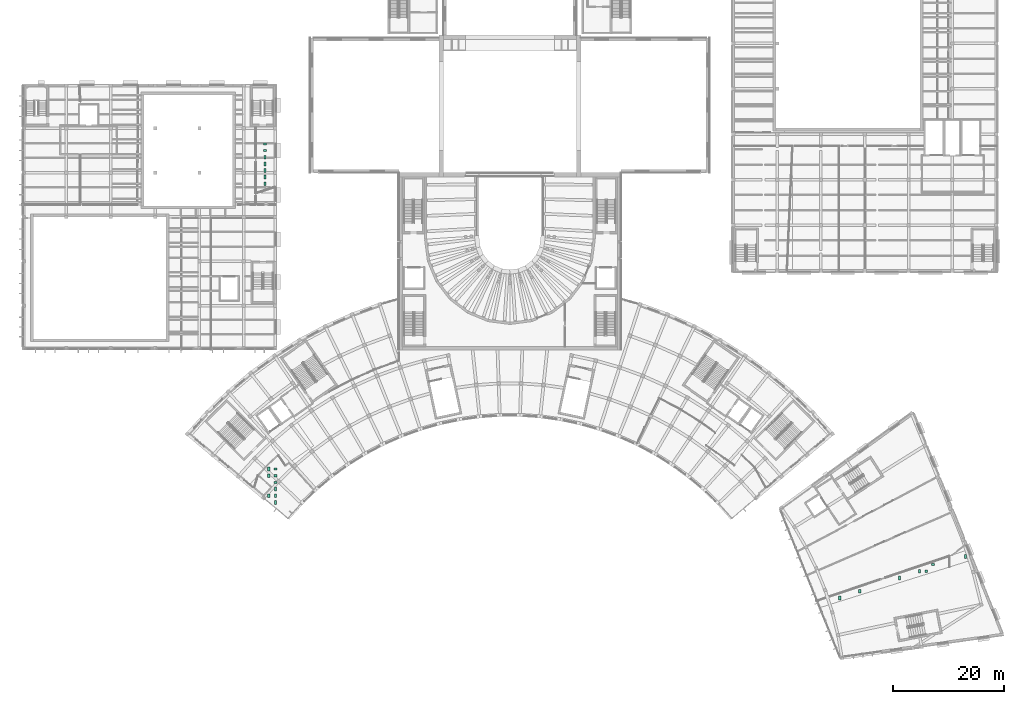
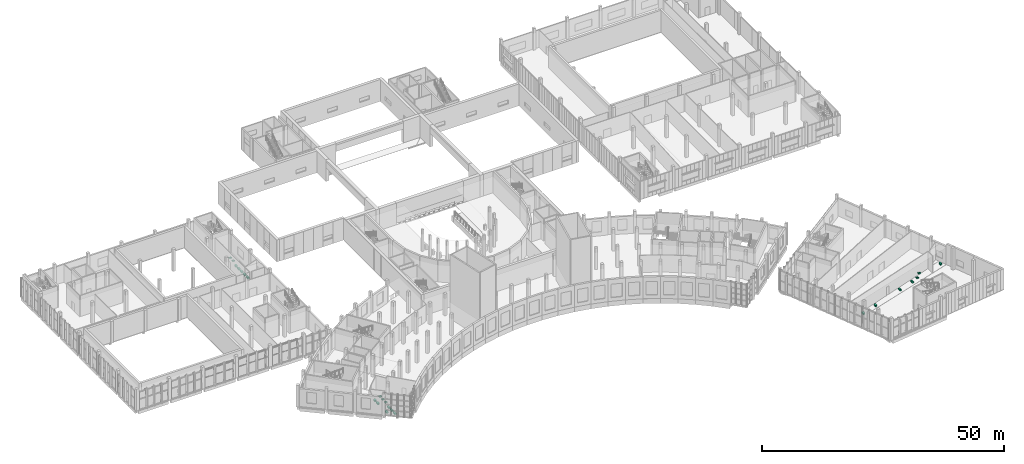
# One storey, part 87 of 87: 23 sanitary terminals.
"""IFC4 building model written with IfcOpenShell, lengths in metres."""

from ifc_helpers import new_model, si_unit, direction, frame, origin, origin_2d, place, context, subcontext, project, spatial, rectangle, extrude, material, type_object, element, save


model = new_model("IFC4")

# Units and contexts
model_context = context("Model", 3, precision=1e-05, world=origin(), true_north=direction((0.0, 1.0)))
body_context = subcontext(model_context, "Body", "Model", "MODEL_VIEW")
ifc_project = project(units=[si_unit("LENGTHUNIT", "METRE"), si_unit("AREAUNIT", "SQUARE_METRE"), si_unit("VOLUMEUNIT", "CUBIC_METRE"), si_unit("PLANEANGLEUNIT", "RADIAN"), si_unit("MASSUNIT", "GRAM", prefix="KILO")], contexts=[model_context])

# Site, building, storey
site_placement = place(None, origin())
site = spatial("IfcSite", under=ifc_project, at=site_placement, CompositionType="ELEMENT")
building_placement = place(site_placement, origin())
building = spatial("IfcBuilding", under=site, at=building_placement, Name="Lunette Opera House", CompositionType="ELEMENT")
storey_placement = place(building_placement, frame((0.0, 0.0, 11.5)))
storey = spatial("IfcBuildingStorey", under=building, at=storey_placement, Name="L02", CompositionType="ELEMENT", Elevation=11.5)

# Sanitary terminals
ifc_material_1 = material(Name="Ceramic")
sanitary_terminal_type_1 = type_object("IfcSanitaryTerminalType", Name="WASH BASIN", PredefinedType="WASHHANDBASIN", material=ifc_material_1)
for number, where, z_axis, x_axis, name in (
    (1, (53.7109375, 40.117919921875, 0.7001953125), (0.0, 0.0, 1.0), (1.0, 0.0, 0.0), "Wash basin Public WC L02"),
    (2, (53.7109375, 41.318115234375, 0.7001953125), (0.0, 0.0, 1.0), (1.0, 0.0, 0.0), "Wash basin Public WC L02"),
    (3, (53.7109375, 42.51806640625, 0.7001953125), (0.0, 0.0, 1.0), (1.0, 0.0, 0.0), "Wash basin Public WC L02"),
    (4, (51.84912109375, 99.97802734375, 0.7001953125), (0.0, 0.0, 1.0), (1.0, 0.0, 0.0), "Wash basin Rehearsal Wing WC L02"),
    (5, (51.84912109375, 101.177978515625, 0.7001953125), (0.0, 0.0, 1.0), (1.0, 0.0, 0.0), "Wash basin Rehearsal Wing WC L02"),
    (6, (171.097900390625, 24.087890625, 0.7001953125), (0.0, 0.0, 1.0), (1.0, 0.0, 0.0), "Wash basin Studio WC L02"),
    (7, (172.298095703125, 25.2880859375, 0.7001953125), (0.0, 0.0, 1.0), (1.0, 0.0, 0.0), "Wash basin Studio WC L02"),
):
    element("IfcSanitaryTerminal", number, at=place(storey_placement, frame(where, z_axis=z_axis, x_axis=x_axis)), inside=storey, type_object=sanitary_terminal_type_1, Name=name, PredefinedType="WASHHANDBASIN", context=body_context, shape_type="SweptSolid", body=[
        extrude(rectangle(XDim=0.5, YDim=0.39990234375, at=origin_2d()), origin(), (0.0, 0.0, 1.0), 0.199951171875),
    ])
ifc_material_2 = material(Name="Ceramic")
sanitary_terminal_type_2 = type_object("IfcSanitaryTerminalType", Name="WC PAN", PredefinedType="TOILETPAN", material=ifc_material_2)
for number, where, z_axis, x_axis, name in (
    (8, (52.510986328125, 37.718017578125, 0.0), (0.0, 0.0, 1.0), (1.0, 0.0, 0.0), "WC pan Public WC L02"),
    (9, (52.510986328125, 41.318115234375, 0.0), (0.0, 0.0, 1.0), (1.0, 0.0, 0.0), "WC pan Public WC L02"),
    (10, (52.510986328125, 42.51806640625, 0.0), (0.0, 0.0, 1.0), (1.0, 0.0, 0.0), "WC pan Public WC L02"),
    (11, (53.7109375, 36.51806640625, 0.0), (0.0, 0.0, 1.0), (1.0, 0.0, 0.0), "WC pan Public WC L02"),
    (12, (53.7109375, 37.718017578125, 0.0), (0.0, 0.0, 1.0), (1.0, 0.0, 0.0), "WC pan Public WC L02"),
    (13, (53.7109375, 38.91796875, 0.0), (0.0, 0.0, 1.0), (1.0, 0.0, 0.0), "WC pan Public WC L02"),
    (14, (51.84912109375, 93.97802734375, 0.0), (0.0, 0.0, 1.0), (1.0, 0.0, 0.0), "WC pan Rehearsal Wing WC L02"),
    (15, (51.84912109375, 95.177978515625, 0.0), (0.0, 0.0, 1.0), (1.0, 0.0, 0.0), "WC pan Rehearsal Wing WC L02"),
    (16, (51.84912109375, 96.3779296875, 0.0), (0.0, 0.0, 1.0), (1.0, 0.0, 0.0), "WC pan Rehearsal Wing WC L02"),
    (17, (51.84912109375, 97.577880859375, 0.0), (0.0, 0.0, 1.0), (1.0, 0.0, 0.0), "WC pan Rehearsal Wing WC L02"),
    (18, (51.84912109375, 98.778076171875, 0.0), (0.0, 0.0, 1.0), (1.0, 0.0, 0.0), "WC pan Rehearsal Wing WC L02"),
    (19, (155.498046875, 19.2880859375, 0.0), (0.0, 0.0, 1.0), (1.0, 0.0, 0.0), "WC pan Studio WC L02"),
    (20, (159.097900390625, 20.488037109375, 0.0), (0.0, 0.0, 1.0), (1.0, 0.0, 0.0), "WC pan Studio WC L02"),
    (21, (166.298095703125, 22.887939453125, 0.0), (0.0, 0.0, 1.0), (1.0, 0.0, 0.0), "WC pan Studio WC L02"),
    (22, (169.89794921875, 24.087890625, 0.0), (0.0, 0.0, 1.0), (1.0, 0.0, 0.0), "WC pan Studio WC L02"),
    (23, (178.178955078125, 26.736083984375, 0.0), (0.0, 0.0, 1.0), (1.0, 0.0, 0.0), "WC pan Accessible WC L02 Studio"),
):
    element("IfcSanitaryTerminal", number, at=place(storey_placement, frame(where, z_axis=z_axis, x_axis=x_axis)), inside=storey, type_object=sanitary_terminal_type_2, Name=name, PredefinedType="TOILETPAN", context=body_context, shape_type="SweptSolid", body=[
        extrude(rectangle(XDim=0.39990234375, YDim=0.699951171875, at=origin_2d()), origin(), (0.0, 0.0, 1.0), 0.39990234375),
    ])

save(model, "model.ifc")
